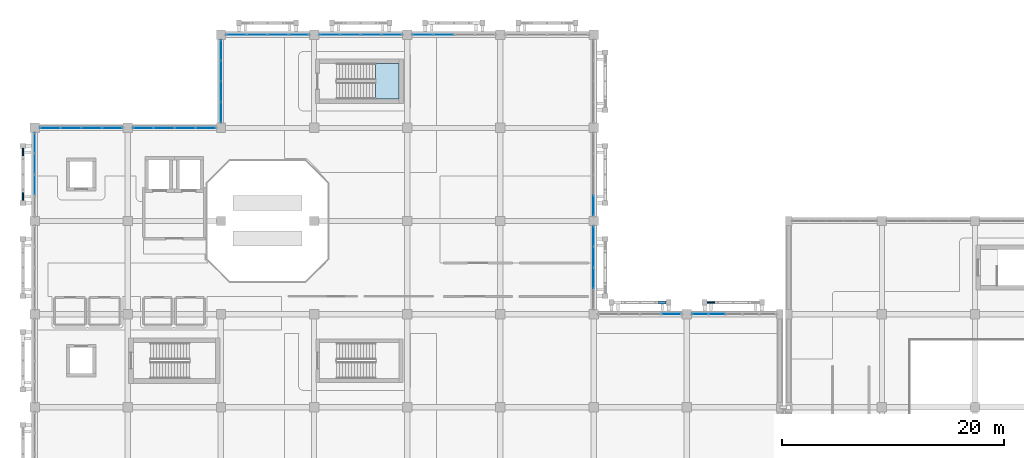
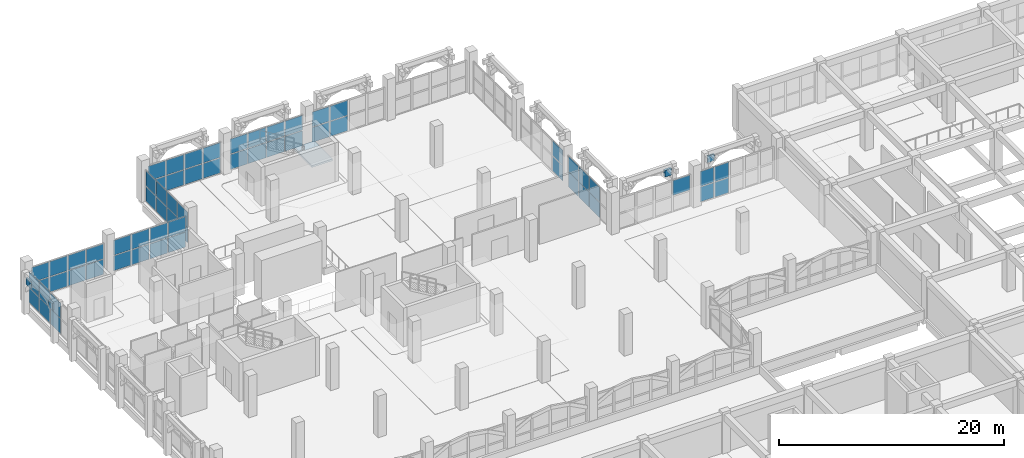
# One storey, part 97 of 129: 67 plates, 1 slab, 12 elements without a shape of their own.
"""IFC4 building model written with IfcOpenShell, lengths in metres."""

from ifc_helpers import new_model, si_unit, direction, frame, origin, origin_2d, place, context, subcontext, project, spatial, polyline, rectangle, outline, extrude, material, layer, layer_set, type_object, element, aggregate, save


model = new_model("IFC4")

# Units and contexts
model_context = context("Model", 3, precision=1e-05, world=origin(), true_north=direction((0.0, 1.0)))
body_context = subcontext(model_context, "Body", "Model", "MODEL_VIEW")
ifc_project = project(units=[si_unit("LENGTHUNIT", "METRE"), si_unit("AREAUNIT", "SQUARE_METRE"), si_unit("VOLUMEUNIT", "CUBIC_METRE"), si_unit("PLANEANGLEUNIT", "RADIAN"), si_unit("MASSUNIT", "GRAM", prefix="KILO")], contexts=[model_context])

# Site, building, storey
site_placement = place(None, origin())
site = spatial("IfcSite", under=ifc_project, at=site_placement, CompositionType="ELEMENT")
building_placement = place(site_placement, origin())
building = spatial("IfcBuilding", under=site, at=building_placement, Name="Xazarin Passage Department Store", CompositionType="ELEMENT")
storey_placement = place(building_placement, frame((0.0, 0.0, 9.89990234375)))
storey = spatial("IfcBuildingStorey", under=building, at=storey_placement, Name="L02", CompositionType="ELEMENT", Elevation=9.89990234375)

# Curtain wall, plate
ifc_material_1 = material(Name="Bronze anodised aluminium", Category="aluminium")
ifc_layer_1 = layer(ifc_material_1, 0.199951171875)
ifc_layer_set_1 = layer_set([ifc_layer_1], Name="Bronze anodised aluminium")
curtain_wall_type = type_object("IfcCurtainWallType", Name="ARC-CW-VIT2", PredefinedType="NOTDEFINED", material=ifc_layer_set_1)
curtain_wall_1_placement = place(storey_placement, origin())
curtain_wall_1 = element("IfcCurtainWall", 1, at=curtain_wall_1_placement, inside=storey, type_object=curtain_wall_type, Name="L02 V1 Curtain Wall 037", PredefinedType="NOTDEFINED")
ifc_material_2 = material(Name="Low-E laminated safety glass", Category="glass")
ifc_layer_2 = layer(ifc_material_2, 0.031982421875)
ifc_layer_set_2 = layer_set([ifc_layer_2], Name="Low-E laminated safety glass")
plate_type_1 = type_object("IfcPlateType", Name="ARC-CWP-GLZ32", PredefinedType="CURTAIN_PANEL", material=ifc_layer_set_2)
plate_1_placement = place(storey_placement, frame((57.41259765625, 84.800048828125, 1.7626953125), z_axis=(0.0, 0.0, 1.0), x_axis=(1.0, 0.0, 0.0)))
plate_1 = element("IfcPlate", 2, at=plate_1_placement, type_object=plate_type_1, Name="CW2 panel 4.2", PredefinedType="CURTAIN_PANEL", context=body_context, shape_type="SweptSolid", body=[
    extrude(rectangle(XDim=1.77490234375, YDim=0.031982421875, at=origin_2d()), origin(), (0.0, 0.0, 1.0), 1.612548828125),
])
aggregate(curtain_wall_1, [plate_1])

# Curtain wall, plates
curtain_wall_2_placement = place(storey_placement, origin())
curtain_wall_2 = element("IfcCurtainWall", 3, at=curtain_wall_2_placement, inside=storey, type_object=curtain_wall_type, Name="L02 V1 Curtain Wall 038", PredefinedType="NOTDEFINED")
plate_2_placement = place(storey_placement, frame((60.01123046875, 84.800048828125, 0.0751953125), z_axis=(0.0, 0.0, 1.0), x_axis=(1.0, 0.0, 0.0)))
plate_2 = element("IfcPlate", 4, at=plate_2_placement, type_object=plate_type_1, Name="CW2 panel 1.1", PredefinedType="CURTAIN_PANEL", context=body_context, shape_type="SweptSolid", body=[
    extrude(rectangle(XDim=1.422607421875, YDim=0.031982421875, at=origin_2d()), origin(), (0.0, 0.0, 1.0), 1.612548828125),
])
plate_3_placement = place(storey_placement, frame((60.01123046875, 84.800048828125, 1.7626953125), z_axis=(0.0, 0.0, 1.0), x_axis=(1.0, 0.0, 0.0)))
plate_3 = element("IfcPlate", 5, at=plate_3_placement, type_object=plate_type_1, Name="CW2 panel 1.2", PredefinedType="CURTAIN_PANEL", context=body_context, shape_type="SweptSolid", body=[
    extrude(rectangle(XDim=1.422607421875, YDim=0.031982421875, at=origin_2d()), origin(), (0.0, 0.0, 1.0), 1.612548828125),
])
plate_4_placement = place(storey_placement, frame((61.527587890625, 84.800048828125, 0.0751953125), z_axis=(0.0, 0.0, 1.0), x_axis=(1.0, 0.0, 0.0)))
plate_4 = element("IfcPlate", 6, at=plate_4_placement, type_object=plate_type_1, Name="CW2 panel 2.1", PredefinedType="CURTAIN_PANEL", context=body_context, shape_type="SweptSolid", body=[
    extrude(rectangle(XDim=1.4599609375, YDim=0.031982421875, at=origin_2d()), origin(), (0.0, 0.0, 1.0), 1.612548828125),
])
plate_5_placement = place(storey_placement, frame((61.527587890625, 84.800048828125, 1.7626953125), z_axis=(0.0, 0.0, 1.0), x_axis=(1.0, 0.0, 0.0)))
plate_5 = element("IfcPlate", 7, at=plate_5_placement, type_object=plate_type_1, Name="CW2 panel 2.2", PredefinedType="CURTAIN_PANEL", context=body_context, shape_type="SweptSolid", body=[
    extrude(rectangle(XDim=1.4599609375, YDim=0.031982421875, at=origin_2d()), origin(), (0.0, 0.0, 1.0), 1.612548828125),
])
aggregate(curtain_wall_2, [plate_2, plate_3, plate_4, plate_5])

curtain_wall_3_placement = place(storey_placement, origin())
curtain_wall_3 = element("IfcCurtainWall", 8, at=curtain_wall_3_placement, inside=storey, type_object=curtain_wall_type, Name="L02 V1 Curtain Wall 039", PredefinedType="NOTDEFINED")
plate_6_placement = place(storey_placement, frame((1.387451171875, 101.60009765625, 0.0751953125), z_axis=(0.0, 0.0, 1.0), x_axis=(1.0, 0.0, 0.0)))
plate_6 = element("IfcPlate", 9, at=plate_6_placement, type_object=plate_type_1, Name="CW2 panel 1.1", PredefinedType="CURTAIN_PANEL", context=body_context, shape_type="SweptSolid", body=[
    extrude(rectangle(XDim=1.77490234375, YDim=0.031982421875, at=origin_2d()), origin(), (0.0, 0.0, 1.0), 1.612548828125),
])
plate_7_placement = place(storey_placement, frame((1.387451171875, 101.60009765625, 1.7626953125), z_axis=(0.0, 0.0, 1.0), x_axis=(1.0, 0.0, 0.0)))
plate_7 = element("IfcPlate", 10, at=plate_7_placement, type_object=plate_type_1, Name="CW2 panel 1.2", PredefinedType="CURTAIN_PANEL", context=body_context, shape_type="SweptSolid", body=[
    extrude(rectangle(XDim=1.77490234375, YDim=0.031982421875, at=origin_2d()), origin(), (0.0, 0.0, 1.0), 1.612548828125),
])
plate_8_placement = place(storey_placement, frame((3.25634765625, 101.60009765625, 0.0751953125), z_axis=(0.0, 0.0, 1.0), x_axis=(1.0, 0.0, 0.0)))
plate_8 = element("IfcPlate", 11, at=plate_8_placement, type_object=plate_type_1, Name="CW2 panel 2.1", PredefinedType="CURTAIN_PANEL", context=body_context, shape_type="SweptSolid", body=[
    extrude(rectangle(XDim=1.8125, YDim=0.031982421875, at=origin_2d()), origin(), (0.0, 0.0, 1.0), 1.612548828125),
])
plate_9_placement = place(storey_placement, frame((3.25634765625, 101.60009765625, 1.7626953125), z_axis=(0.0, 0.0, 1.0), x_axis=(1.0, 0.0, 0.0)))
plate_9 = element("IfcPlate", 12, at=plate_9_placement, type_object=plate_type_1, Name="CW2 panel 2.2", PredefinedType="CURTAIN_PANEL", context=body_context, shape_type="SweptSolid", body=[
    extrude(rectangle(XDim=1.8125, YDim=0.031982421875, at=origin_2d()), origin(), (0.0, 0.0, 1.0), 1.612548828125),
])
plate_10_placement = place(storey_placement, frame((5.143798828125, 101.60009765625, 0.0751953125), z_axis=(0.0, 0.0, 1.0), x_axis=(1.0, 0.0, 0.0)))
plate_10 = element("IfcPlate", 13, at=plate_10_placement, type_object=plate_type_1, Name="CW2 panel 3.1", PredefinedType="CURTAIN_PANEL", context=body_context, shape_type="SweptSolid", body=[
    extrude(rectangle(XDim=1.8125, YDim=0.031982421875, at=origin_2d()), origin(), (0.0, 0.0, 1.0), 1.612548828125),
])
plate_11_placement = place(storey_placement, frame((5.143798828125, 101.60009765625, 1.7626953125), z_axis=(0.0, 0.0, 1.0), x_axis=(1.0, 0.0, 0.0)))
plate_11 = element("IfcPlate", 14, at=plate_11_placement, type_object=plate_type_1, Name="CW2 panel 3.2", PredefinedType="CURTAIN_PANEL", context=body_context, shape_type="SweptSolid", body=[
    extrude(rectangle(XDim=1.8125, YDim=0.031982421875, at=origin_2d()), origin(), (0.0, 0.0, 1.0), 1.612548828125),
])
plate_12_placement = place(storey_placement, frame((7.012451171875, 101.60009765625, 0.0751953125), z_axis=(0.0, 0.0, 1.0), x_axis=(1.0, 0.0, 0.0)))
plate_12 = element("IfcPlate", 15, at=plate_12_placement, type_object=plate_type_1, Name="CW2 panel 4.1", PredefinedType="CURTAIN_PANEL", context=body_context, shape_type="SweptSolid", body=[
    extrude(rectangle(XDim=1.77490234375, YDim=0.031982421875, at=origin_2d()), origin(), (0.0, 0.0, 1.0), 1.612548828125),
])
plate_13_placement = place(storey_placement, frame((7.012451171875, 101.60009765625, 1.7626953125), z_axis=(0.0, 0.0, 1.0), x_axis=(1.0, 0.0, 0.0)))
plate_13 = element("IfcPlate", 16, at=plate_13_placement, type_object=plate_type_1, Name="CW2 panel 4.2", PredefinedType="CURTAIN_PANEL", context=body_context, shape_type="SweptSolid", body=[
    extrude(rectangle(XDim=1.77490234375, YDim=0.031982421875, at=origin_2d()), origin(), (0.0, 0.0, 1.0), 1.612548828125),
])
aggregate(curtain_wall_3, [plate_6, plate_7, plate_8, plate_9, plate_10, plate_11, plate_12, plate_13])

curtain_wall_4_placement = place(storey_placement, origin())
curtain_wall_4 = element("IfcCurtainWall", 17, at=curtain_wall_4_placement, inside=storey, type_object=curtain_wall_type, Name="L02 V1 Curtain Wall 040", PredefinedType="NOTDEFINED")
plate_14_placement = place(storey_placement, frame((9.78759765625, 101.60009765625, 0.0751953125), z_axis=(0.0, 0.0, 1.0), x_axis=(1.0, 0.0, 0.0)))
plate_14 = element("IfcPlate", 18, at=plate_14_placement, type_object=plate_type_1, Name="CW2 panel 1.1", PredefinedType="CURTAIN_PANEL", context=body_context, shape_type="SweptSolid", body=[
    extrude(rectangle(XDim=1.77490234375, YDim=0.031982421875, at=origin_2d()), origin(), (0.0, 0.0, 1.0), 1.612548828125),
])
plate_15_placement = place(storey_placement, frame((9.78759765625, 101.60009765625, 1.7626953125), z_axis=(0.0, 0.0, 1.0), x_axis=(1.0, 0.0, 0.0)))
plate_15 = element("IfcPlate", 19, at=plate_15_placement, type_object=plate_type_1, Name="CW2 panel 1.2", PredefinedType="CURTAIN_PANEL", context=body_context, shape_type="SweptSolid", body=[
    extrude(rectangle(XDim=1.77490234375, YDim=0.031982421875, at=origin_2d()), origin(), (0.0, 0.0, 1.0), 1.612548828125),
])
plate_16_placement = place(storey_placement, frame((11.65625, 101.60009765625, 0.0751953125), z_axis=(0.0, 0.0, 1.0), x_axis=(1.0, 0.0, 0.0)))
plate_16 = element("IfcPlate", 20, at=plate_16_placement, type_object=plate_type_1, Name="CW2 panel 2.1", PredefinedType="CURTAIN_PANEL", context=body_context, shape_type="SweptSolid", body=[
    extrude(rectangle(XDim=1.8125, YDim=0.031982421875, at=origin_2d()), origin(), (0.0, 0.0, 1.0), 1.612548828125),
])
plate_17_placement = place(storey_placement, frame((11.65625, 101.60009765625, 1.7626953125), z_axis=(0.0, 0.0, 1.0), x_axis=(1.0, 0.0, 0.0)))
plate_17 = element("IfcPlate", 21, at=plate_17_placement, type_object=plate_type_1, Name="CW2 panel 2.2", PredefinedType="CURTAIN_PANEL", context=body_context, shape_type="SweptSolid", body=[
    extrude(rectangle(XDim=1.8125, YDim=0.031982421875, at=origin_2d()), origin(), (0.0, 0.0, 1.0), 1.612548828125),
])
plate_18_placement = place(storey_placement, frame((13.543701171875, 101.60009765625, 0.0751953125), z_axis=(0.0, 0.0, 1.0), x_axis=(1.0, 0.0, 0.0)))
plate_18 = element("IfcPlate", 22, at=plate_18_placement, type_object=plate_type_1, Name="CW2 panel 3.1", PredefinedType="CURTAIN_PANEL", context=body_context, shape_type="SweptSolid", body=[
    extrude(rectangle(XDim=1.8125, YDim=0.031982421875, at=origin_2d()), origin(), (0.0, 0.0, 1.0), 1.612548828125),
])
plate_19_placement = place(storey_placement, frame((13.543701171875, 101.60009765625, 1.7626953125), z_axis=(0.0, 0.0, 1.0), x_axis=(1.0, 0.0, 0.0)))
plate_19 = element("IfcPlate", 23, at=plate_19_placement, type_object=plate_type_1, Name="CW2 panel 3.2", PredefinedType="CURTAIN_PANEL", context=body_context, shape_type="SweptSolid", body=[
    extrude(rectangle(XDim=1.8125, YDim=0.031982421875, at=origin_2d()), origin(), (0.0, 0.0, 1.0), 1.612548828125),
])
plate_20_placement = place(storey_placement, frame((15.41259765625, 101.60009765625, 0.0751953125), z_axis=(0.0, 0.0, 1.0), x_axis=(1.0, 0.0, 0.0)))
plate_20 = element("IfcPlate", 24, at=plate_20_placement, type_object=plate_type_1, Name="CW2 panel 4.1", PredefinedType="CURTAIN_PANEL", context=body_context, shape_type="SweptSolid", body=[
    extrude(rectangle(XDim=1.77490234375, YDim=0.031982421875, at=origin_2d()), origin(), (0.0, 0.0, 1.0), 1.612548828125),
])
plate_21_placement = place(storey_placement, frame((15.41259765625, 101.60009765625, 1.7626953125), z_axis=(0.0, 0.0, 1.0), x_axis=(1.0, 0.0, 0.0)))
plate_21 = element("IfcPlate", 25, at=plate_21_placement, type_object=plate_type_1, Name="CW2 panel 4.2", PredefinedType="CURTAIN_PANEL", context=body_context, shape_type="SweptSolid", body=[
    extrude(rectangle(XDim=1.77490234375, YDim=0.031982421875, at=origin_2d()), origin(), (0.0, 0.0, 1.0), 1.612548828125),
])
aggregate(curtain_wall_4, [plate_14, plate_15, plate_16, plate_17, plate_18, plate_19, plate_20, plate_21])

curtain_wall_5_placement = place(storey_placement, origin())
curtain_wall_5 = element("IfcCurtainWall", 26, at=curtain_wall_5_placement, inside=storey, type_object=curtain_wall_type, Name="L02 V1 Curtain Wall 041", PredefinedType="NOTDEFINED")
plate_22_placement = place(storey_placement, frame((18.1875, 110.0, 0.0751953125), z_axis=(0.0, 0.0, 1.0), x_axis=(1.0, 0.0, 0.0)))
plate_22 = element("IfcPlate", 27, at=plate_22_placement, type_object=plate_type_1, Name="CW2 panel 1.1", PredefinedType="CURTAIN_PANEL", context=body_context, shape_type="SweptSolid", body=[
    extrude(rectangle(XDim=1.77490234375, YDim=0.031982421875, at=origin_2d()), origin(), (0.0, 0.0, 1.0), 1.612548828125),
])
plate_23_placement = place(storey_placement, frame((18.1875, 110.0, 1.7626953125), z_axis=(0.0, 0.0, 1.0), x_axis=(1.0, 0.0, 0.0)))
plate_23 = element("IfcPlate", 28, at=plate_23_placement, type_object=plate_type_1, Name="CW2 panel 1.2", PredefinedType="CURTAIN_PANEL", context=body_context, shape_type="SweptSolid", body=[
    extrude(rectangle(XDim=1.77490234375, YDim=0.031982421875, at=origin_2d()), origin(), (0.0, 0.0, 1.0), 1.612548828125),
])
plate_24_placement = place(storey_placement, frame((20.05615234375, 110.0, 0.0751953125), z_axis=(0.0, 0.0, 1.0), x_axis=(1.0, 0.0, 0.0)))
plate_24 = element("IfcPlate", 29, at=plate_24_placement, type_object=plate_type_1, Name="CW2 panel 2.1", PredefinedType="CURTAIN_PANEL", context=body_context, shape_type="SweptSolid", body=[
    extrude(rectangle(XDim=1.8125, YDim=0.031982421875, at=origin_2d()), origin(), (0.0, 0.0, 1.0), 1.612548828125),
])
plate_25_placement = place(storey_placement, frame((20.05615234375, 110.0, 1.7626953125), z_axis=(0.0, 0.0, 1.0), x_axis=(1.0, 0.0, 0.0)))
plate_25 = element("IfcPlate", 30, at=plate_25_placement, type_object=plate_type_1, Name="CW2 panel 2.2", PredefinedType="CURTAIN_PANEL", context=body_context, shape_type="SweptSolid", body=[
    extrude(rectangle(XDim=1.8125, YDim=0.031982421875, at=origin_2d()), origin(), (0.0, 0.0, 1.0), 1.612548828125),
])
plate_26_placement = place(storey_placement, frame((21.94384765625, 110.0, 0.0751953125), z_axis=(0.0, 0.0, 1.0), x_axis=(1.0, 0.0, 0.0)))
plate_26 = element("IfcPlate", 31, at=plate_26_placement, type_object=plate_type_1, Name="CW2 panel 3.1", PredefinedType="CURTAIN_PANEL", context=body_context, shape_type="SweptSolid", body=[
    extrude(rectangle(XDim=1.8125, YDim=0.031982421875, at=origin_2d()), origin(), (0.0, 0.0, 1.0), 1.612548828125),
])
plate_27_placement = place(storey_placement, frame((21.94384765625, 110.0, 1.7626953125), z_axis=(0.0, 0.0, 1.0), x_axis=(1.0, 0.0, 0.0)))
plate_27 = element("IfcPlate", 32, at=plate_27_placement, type_object=plate_type_1, Name="CW2 panel 3.2", PredefinedType="CURTAIN_PANEL", context=body_context, shape_type="SweptSolid", body=[
    extrude(rectangle(XDim=1.8125, YDim=0.031982421875, at=origin_2d()), origin(), (0.0, 0.0, 1.0), 1.612548828125),
])
plate_28_placement = place(storey_placement, frame((23.8125, 110.0, 0.0751953125), z_axis=(0.0, 0.0, 1.0), x_axis=(1.0, 0.0, 0.0)))
plate_28 = element("IfcPlate", 33, at=plate_28_placement, type_object=plate_type_1, Name="CW2 panel 4.1", PredefinedType="CURTAIN_PANEL", context=body_context, shape_type="SweptSolid", body=[
    extrude(rectangle(XDim=1.77490234375, YDim=0.031982421875, at=origin_2d()), origin(), (0.0, 0.0, 1.0), 1.612548828125),
])
plate_29_placement = place(storey_placement, frame((23.8125, 110.0, 1.7626953125), z_axis=(0.0, 0.0, 1.0), x_axis=(1.0, 0.0, 0.0)))
plate_29 = element("IfcPlate", 34, at=plate_29_placement, type_object=plate_type_1, Name="CW2 panel 4.2", PredefinedType="CURTAIN_PANEL", context=body_context, shape_type="SweptSolid", body=[
    extrude(rectangle(XDim=1.77490234375, YDim=0.031982421875, at=origin_2d()), origin(), (0.0, 0.0, 1.0), 1.612548828125),
])
aggregate(curtain_wall_5, [plate_22, plate_23, plate_24, plate_25, plate_26, plate_27, plate_28, plate_29])

curtain_wall_6_placement = place(storey_placement, origin())
curtain_wall_6 = element("IfcCurtainWall", 35, at=curtain_wall_6_placement, inside=storey, type_object=curtain_wall_type, Name="L02 V1 Curtain Wall 042", PredefinedType="NOTDEFINED")
plate_30_placement = place(storey_placement, frame((26.58740234375, 110.0, 0.0751953125), z_axis=(0.0, 0.0, 1.0), x_axis=(1.0, 0.0, 0.0)))
plate_30 = element("IfcPlate", 36, at=plate_30_placement, type_object=plate_type_1, Name="CW2 panel 1.1", PredefinedType="CURTAIN_PANEL", context=body_context, shape_type="SweptSolid", body=[
    extrude(rectangle(XDim=1.77490234375, YDim=0.031982421875, at=origin_2d()), origin(), (0.0, 0.0, 1.0), 1.612548828125),
])
plate_31_placement = place(storey_placement, frame((26.58740234375, 110.0, 1.7626953125), z_axis=(0.0, 0.0, 1.0), x_axis=(1.0, 0.0, 0.0)))
plate_31 = element("IfcPlate", 37, at=plate_31_placement, type_object=plate_type_1, Name="CW2 panel 1.2", PredefinedType="CURTAIN_PANEL", context=body_context, shape_type="SweptSolid", body=[
    extrude(rectangle(XDim=1.77490234375, YDim=0.031982421875, at=origin_2d()), origin(), (0.0, 0.0, 1.0), 1.612548828125),
])
plate_32_placement = place(storey_placement, frame((28.456298828125, 110.0, 0.0751953125), z_axis=(0.0, 0.0, 1.0), x_axis=(1.0, 0.0, 0.0)))
plate_32 = element("IfcPlate", 38, at=plate_32_placement, type_object=plate_type_1, Name="CW2 panel 2.1", PredefinedType="CURTAIN_PANEL", context=body_context, shape_type="SweptSolid", body=[
    extrude(rectangle(XDim=1.8125, YDim=0.031982421875, at=origin_2d()), origin(), (0.0, 0.0, 1.0), 1.612548828125),
])
plate_33_placement = place(storey_placement, frame((28.456298828125, 110.0, 1.7626953125), z_axis=(0.0, 0.0, 1.0), x_axis=(1.0, 0.0, 0.0)))
plate_33 = element("IfcPlate", 39, at=plate_33_placement, type_object=plate_type_1, Name="CW2 panel 2.2", PredefinedType="CURTAIN_PANEL", context=body_context, shape_type="SweptSolid", body=[
    extrude(rectangle(XDim=1.8125, YDim=0.031982421875, at=origin_2d()), origin(), (0.0, 0.0, 1.0), 1.612548828125),
])
plate_34_placement = place(storey_placement, frame((30.34375, 110.0, 0.0751953125), z_axis=(0.0, 0.0, 1.0), x_axis=(1.0, 0.0, 0.0)))
plate_34 = element("IfcPlate", 40, at=plate_34_placement, type_object=plate_type_1, Name="CW2 panel 3.1", PredefinedType="CURTAIN_PANEL", context=body_context, shape_type="SweptSolid", body=[
    extrude(rectangle(XDim=1.8125, YDim=0.031982421875, at=origin_2d()), origin(), (0.0, 0.0, 1.0), 1.612548828125),
])
plate_35_placement = place(storey_placement, frame((30.34375, 110.0, 1.7626953125), z_axis=(0.0, 0.0, 1.0), x_axis=(1.0, 0.0, 0.0)))
plate_35 = element("IfcPlate", 41, at=plate_35_placement, type_object=plate_type_1, Name="CW2 panel 3.2", PredefinedType="CURTAIN_PANEL", context=body_context, shape_type="SweptSolid", body=[
    extrude(rectangle(XDim=1.8125, YDim=0.031982421875, at=origin_2d()), origin(), (0.0, 0.0, 1.0), 1.612548828125),
])
plate_36_placement = place(storey_placement, frame((32.21240234375, 110.0, 0.0751953125), z_axis=(0.0, 0.0, 1.0), x_axis=(1.0, 0.0, 0.0)))
plate_36 = element("IfcPlate", 42, at=plate_36_placement, type_object=plate_type_1, Name="CW2 panel 4.1", PredefinedType="CURTAIN_PANEL", context=body_context, shape_type="SweptSolid", body=[
    extrude(rectangle(XDim=1.77490234375, YDim=0.031982421875, at=origin_2d()), origin(), (0.0, 0.0, 1.0), 1.612548828125),
])
plate_37_placement = place(storey_placement, frame((32.21240234375, 110.0, 1.7626953125), z_axis=(0.0, 0.0, 1.0), x_axis=(1.0, 0.0, 0.0)))
plate_37 = element("IfcPlate", 43, at=plate_37_placement, type_object=plate_type_1, Name="CW2 panel 4.2", PredefinedType="CURTAIN_PANEL", context=body_context, shape_type="SweptSolid", body=[
    extrude(rectangle(XDim=1.77490234375, YDim=0.031982421875, at=origin_2d()), origin(), (0.0, 0.0, 1.0), 1.612548828125),
])
aggregate(curtain_wall_6, [plate_30, plate_31, plate_32, plate_33, plate_34, plate_35, plate_36, plate_37])

curtain_wall_7_placement = place(storey_placement, origin())
curtain_wall_7 = element("IfcCurtainWall", 44, at=curtain_wall_7_placement, inside=storey, type_object=curtain_wall_type, Name="L02 V1 Curtain Wall 043", PredefinedType="NOTDEFINED")
plate_38_placement = place(storey_placement, frame((34.987548828125, 110.0, 0.0751953125), z_axis=(0.0, 0.0, 1.0), x_axis=(1.0, 0.0, 0.0)))
plate_38 = element("IfcPlate", 45, at=plate_38_placement, type_object=plate_type_1, Name="CW2 panel 1.1", PredefinedType="CURTAIN_PANEL", context=body_context, shape_type="SweptSolid", body=[
    extrude(rectangle(XDim=1.77490234375, YDim=0.031982421875, at=origin_2d()), origin(), (0.0, 0.0, 1.0), 1.612548828125),
])
plate_39_placement = place(storey_placement, frame((34.987548828125, 110.0, 1.7626953125), z_axis=(0.0, 0.0, 1.0), x_axis=(1.0, 0.0, 0.0)))
plate_39 = element("IfcPlate", 46, at=plate_39_placement, type_object=plate_type_1, Name="CW2 panel 1.2", PredefinedType="CURTAIN_PANEL", context=body_context, shape_type="SweptSolid", body=[
    extrude(rectangle(XDim=1.77490234375, YDim=0.031982421875, at=origin_2d()), origin(), (0.0, 0.0, 1.0), 1.612548828125),
])
plate_40_placement = place(storey_placement, frame((36.856201171875, 110.0, 0.0751953125), z_axis=(0.0, 0.0, 1.0), x_axis=(1.0, 0.0, 0.0)))
plate_40 = element("IfcPlate", 47, at=plate_40_placement, type_object=plate_type_1, Name="CW2 panel 2.1", PredefinedType="CURTAIN_PANEL", context=body_context, shape_type="SweptSolid", body=[
    extrude(rectangle(XDim=1.8125, YDim=0.031982421875, at=origin_2d()), origin(), (0.0, 0.0, 1.0), 1.612548828125),
])
plate_41_placement = place(storey_placement, frame((36.856201171875, 110.0, 1.7626953125), z_axis=(0.0, 0.0, 1.0), x_axis=(1.0, 0.0, 0.0)))
plate_41 = element("IfcPlate", 48, at=plate_41_placement, type_object=plate_type_1, Name="CW2 panel 2.2", PredefinedType="CURTAIN_PANEL", context=body_context, shape_type="SweptSolid", body=[
    extrude(rectangle(XDim=1.8125, YDim=0.031982421875, at=origin_2d()), origin(), (0.0, 0.0, 1.0), 1.612548828125),
])
aggregate(curtain_wall_7, [plate_38, plate_39, plate_40, plate_41])

curtain_wall_8_placement = place(storey_placement, origin())
curtain_wall_8 = element("IfcCurtainWall", 49, at=curtain_wall_8_placement, inside=storey, type_object=curtain_wall_type, Name="L02 V1 Curtain Wall 049", PredefinedType="NOTDEFINED")
plate_42_placement = place(storey_placement, frame((0.0, 96.456298828125, 0.0751953125), z_axis=(0.0, 0.0, 1.0), x_axis=(0.0, 1.0, 0.0)))
plate_42 = element("IfcPlate", 50, at=plate_42_placement, type_object=plate_type_1, Name="CW2 panel 2.1", PredefinedType="CURTAIN_PANEL", context=body_context, shape_type="SweptSolid", body=[
    extrude(rectangle(XDim=1.8125, YDim=0.031982421875, at=origin_2d()), origin(), (0.0, 0.0, 1.0), 1.612548828125),
])
plate_43_placement = place(storey_placement, frame((0.0, 96.456298828125, 1.7626953125), z_axis=(0.0, 0.0, 1.0), x_axis=(0.0, 1.0, 0.0)))
plate_43 = element("IfcPlate", 51, at=plate_43_placement, type_object=plate_type_1, Name="CW2 panel 2.2", PredefinedType="CURTAIN_PANEL", context=body_context, shape_type="SweptSolid", body=[
    extrude(rectangle(XDim=1.8125, YDim=0.031982421875, at=origin_2d()), origin(), (0.0, 0.0, 1.0), 1.612548828125),
])
plate_44_placement = place(storey_placement, frame((0.0, 98.34375, 0.0751953125), z_axis=(0.0, 0.0, 1.0), x_axis=(0.0, 1.0, 0.0)))
plate_44 = element("IfcPlate", 52, at=plate_44_placement, type_object=plate_type_1, Name="CW2 panel 3.1", PredefinedType="CURTAIN_PANEL", context=body_context, shape_type="SweptSolid", body=[
    extrude(rectangle(XDim=1.8125, YDim=0.031982421875, at=origin_2d()), origin(), (0.0, 0.0, 1.0), 1.612548828125),
])
plate_45_placement = place(storey_placement, frame((0.0, 98.34375, 1.7626953125), z_axis=(0.0, 0.0, 1.0), x_axis=(0.0, 1.0, 0.0)))
plate_45 = element("IfcPlate", 53, at=plate_45_placement, type_object=plate_type_1, Name="CW2 panel 3.2", PredefinedType="CURTAIN_PANEL", context=body_context, shape_type="SweptSolid", body=[
    extrude(rectangle(XDim=1.8125, YDim=0.031982421875, at=origin_2d()), origin(), (0.0, 0.0, 1.0), 1.612548828125),
])
plate_46_placement = place(storey_placement, frame((0.0, 100.21240234375, 0.0751953125), z_axis=(0.0, 0.0, 1.0), x_axis=(0.0, 1.0, 0.0)))
plate_46 = element("IfcPlate", 54, at=plate_46_placement, type_object=plate_type_1, Name="CW2 panel 4.1", PredefinedType="CURTAIN_PANEL", context=body_context, shape_type="SweptSolid", body=[
    extrude(rectangle(XDim=1.77490234375, YDim=0.031982421875, at=origin_2d()), origin(), (0.0, 0.0, 1.0), 1.612548828125),
])
plate_47_placement = place(storey_placement, frame((0.0, 100.21240234375, 1.7626953125), z_axis=(0.0, 0.0, 1.0), x_axis=(0.0, 1.0, 0.0)))
plate_47 = element("IfcPlate", 55, at=plate_47_placement, type_object=plate_type_1, Name="CW2 panel 4.2", PredefinedType="CURTAIN_PANEL", context=body_context, shape_type="SweptSolid", body=[
    extrude(rectangle(XDim=1.77490234375, YDim=0.031982421875, at=origin_2d()), origin(), (0.0, 0.0, 1.0), 1.612548828125),
])
aggregate(curtain_wall_8, [plate_42, plate_43, plate_44, plate_45, plate_46, plate_47])

curtain_wall_9_placement = place(storey_placement, origin())
curtain_wall_9 = element("IfcCurtainWall", 56, at=curtain_wall_9_placement, inside=storey, type_object=curtain_wall_type, Name="L02 V1 Curtain Wall 050", PredefinedType="NOTDEFINED")
plate_48_placement = place(storey_placement, frame((16.800048828125, 102.987548828125, 0.0751953125), z_axis=(0.0, 0.0, 1.0), x_axis=(0.0, 1.0, 0.0)))
plate_48 = element("IfcPlate", 57, at=plate_48_placement, type_object=plate_type_1, Name="CW2 panel 1.1", PredefinedType="CURTAIN_PANEL", context=body_context, shape_type="SweptSolid", body=[
    extrude(rectangle(XDim=1.77490234375, YDim=0.031982421875, at=origin_2d()), origin(), (0.0, 0.0, 1.0), 1.612548828125),
])
plate_49_placement = place(storey_placement, frame((16.800048828125, 102.987548828125, 1.7626953125), z_axis=(0.0, 0.0, 1.0), x_axis=(0.0, 1.0, 0.0)))
plate_49 = element("IfcPlate", 58, at=plate_49_placement, type_object=plate_type_1, Name="CW2 panel 1.2", PredefinedType="CURTAIN_PANEL", context=body_context, shape_type="SweptSolid", body=[
    extrude(rectangle(XDim=1.77490234375, YDim=0.031982421875, at=origin_2d()), origin(), (0.0, 0.0, 1.0), 1.612548828125),
])
plate_50_placement = place(storey_placement, frame((16.800048828125, 104.856201171875, 0.0751953125), z_axis=(0.0, 0.0, 1.0), x_axis=(0.0, 1.0, 0.0)))
plate_50 = element("IfcPlate", 59, at=plate_50_placement, type_object=plate_type_1, Name="CW2 panel 2.1", PredefinedType="CURTAIN_PANEL", context=body_context, shape_type="SweptSolid", body=[
    extrude(rectangle(XDim=1.8125, YDim=0.031982421875, at=origin_2d()), origin(), (0.0, 0.0, 1.0), 1.612548828125),
])
plate_51_placement = place(storey_placement, frame((16.800048828125, 104.856201171875, 1.7626953125), z_axis=(0.0, 0.0, 1.0), x_axis=(0.0, 1.0, 0.0)))
plate_51 = element("IfcPlate", 60, at=plate_51_placement, type_object=plate_type_1, Name="CW2 panel 2.2", PredefinedType="CURTAIN_PANEL", context=body_context, shape_type="SweptSolid", body=[
    extrude(rectangle(XDim=1.8125, YDim=0.031982421875, at=origin_2d()), origin(), (0.0, 0.0, 1.0), 1.612548828125),
])
plate_52_placement = place(storey_placement, frame((16.800048828125, 106.74365234375, 0.0751953125), z_axis=(0.0, 0.0, 1.0), x_axis=(0.0, 1.0, 0.0)))
plate_52 = element("IfcPlate", 61, at=plate_52_placement, type_object=plate_type_1, Name="CW2 panel 3.1", PredefinedType="CURTAIN_PANEL", context=body_context, shape_type="SweptSolid", body=[
    extrude(rectangle(XDim=1.8125, YDim=0.031982421875, at=origin_2d()), origin(), (0.0, 0.0, 1.0), 1.612548828125),
])
plate_53_placement = place(storey_placement, frame((16.800048828125, 106.74365234375, 1.7626953125), z_axis=(0.0, 0.0, 1.0), x_axis=(0.0, 1.0, 0.0)))
plate_53 = element("IfcPlate", 62, at=plate_53_placement, type_object=plate_type_1, Name="CW2 panel 3.2", PredefinedType="CURTAIN_PANEL", context=body_context, shape_type="SweptSolid", body=[
    extrude(rectangle(XDim=1.8125, YDim=0.031982421875, at=origin_2d()), origin(), (0.0, 0.0, 1.0), 1.612548828125),
])
plate_54_placement = place(storey_placement, frame((16.800048828125, 108.612548828125, 0.0751953125), z_axis=(0.0, 0.0, 1.0), x_axis=(0.0, 1.0, 0.0)))
plate_54 = element("IfcPlate", 63, at=plate_54_placement, type_object=plate_type_1, Name="CW2 panel 4.1", PredefinedType="CURTAIN_PANEL", context=body_context, shape_type="SweptSolid", body=[
    extrude(rectangle(XDim=1.77490234375, YDim=0.031982421875, at=origin_2d()), origin(), (0.0, 0.0, 1.0), 1.612548828125),
])
plate_55_placement = place(storey_placement, frame((16.800048828125, 108.612548828125, 1.7626953125), z_axis=(0.0, 0.0, 1.0), x_axis=(0.0, 1.0, 0.0)))
plate_55 = element("IfcPlate", 64, at=plate_55_placement, type_object=plate_type_1, Name="CW2 panel 4.2", PredefinedType="CURTAIN_PANEL", context=body_context, shape_type="SweptSolid", body=[
    extrude(rectangle(XDim=1.77490234375, YDim=0.031982421875, at=origin_2d()), origin(), (0.0, 0.0, 1.0), 1.612548828125),
])
aggregate(curtain_wall_9, [plate_48, plate_49, plate_50, plate_51, plate_52, plate_53, plate_54, plate_55])

curtain_wall_10_placement = place(storey_placement, origin())
curtain_wall_10 = element("IfcCurtainWall", 65, at=curtain_wall_10_placement, inside=storey, type_object=curtain_wall_type, Name="L02 V1 Curtain Wall 052", PredefinedType="NOTDEFINED")
plate_56_placement = place(storey_placement, frame((50.39990234375, 88.05615234375, 0.0751953125), z_axis=(0.0, 0.0, 1.0), x_axis=(0.0, 1.0, 0.0)))
plate_56 = element("IfcPlate", 66, at=plate_56_placement, type_object=plate_type_1, Name="CW2 panel 2.1", PredefinedType="CURTAIN_PANEL", context=body_context, shape_type="SweptSolid", body=[
    extrude(rectangle(XDim=1.8125, YDim=0.031982421875, at=origin_2d()), origin(), (0.0, 0.0, 1.0), 1.612548828125),
])
plate_57_placement = place(storey_placement, frame((50.39990234375, 88.05615234375, 1.7626953125), z_axis=(0.0, 0.0, 1.0), x_axis=(0.0, 1.0, 0.0)))
plate_57 = element("IfcPlate", 67, at=plate_57_placement, type_object=plate_type_1, Name="CW2 panel 2.2", PredefinedType="CURTAIN_PANEL", context=body_context, shape_type="SweptSolid", body=[
    extrude(rectangle(XDim=1.8125, YDim=0.031982421875, at=origin_2d()), origin(), (0.0, 0.0, 1.0), 1.612548828125),
])
plate_58_placement = place(storey_placement, frame((50.39990234375, 89.94384765625, 0.0751953125), z_axis=(0.0, 0.0, 1.0), x_axis=(0.0, 1.0, 0.0)))
plate_58 = element("IfcPlate", 68, at=plate_58_placement, type_object=plate_type_1, Name="CW2 panel 3.1", PredefinedType="CURTAIN_PANEL", context=body_context, shape_type="SweptSolid", body=[
    extrude(rectangle(XDim=1.8125, YDim=0.031982421875, at=origin_2d()), origin(), (0.0, 0.0, 1.0), 1.612548828125),
])
plate_59_placement = place(storey_placement, frame((50.39990234375, 89.94384765625, 1.7626953125), z_axis=(0.0, 0.0, 1.0), x_axis=(0.0, 1.0, 0.0)))
plate_59 = element("IfcPlate", 69, at=plate_59_placement, type_object=plate_type_1, Name="CW2 panel 3.2", PredefinedType="CURTAIN_PANEL", context=body_context, shape_type="SweptSolid", body=[
    extrude(rectangle(XDim=1.8125, YDim=0.031982421875, at=origin_2d()), origin(), (0.0, 0.0, 1.0), 1.612548828125),
])
plate_60_placement = place(storey_placement, frame((50.39990234375, 91.8125, 0.0751953125), z_axis=(0.0, 0.0, 1.0), x_axis=(0.0, 1.0, 0.0)))
plate_60 = element("IfcPlate", 70, at=plate_60_placement, type_object=plate_type_1, Name="CW2 panel 4.1", PredefinedType="CURTAIN_PANEL", context=body_context, shape_type="SweptSolid", body=[
    extrude(rectangle(XDim=1.77490234375, YDim=0.031982421875, at=origin_2d()), origin(), (0.0, 0.0, 1.0), 1.612548828125),
])
plate_61_placement = place(storey_placement, frame((50.39990234375, 91.8125, 1.7626953125), z_axis=(0.0, 0.0, 1.0), x_axis=(0.0, 1.0, 0.0)))
plate_61 = element("IfcPlate", 71, at=plate_61_placement, type_object=plate_type_1, Name="CW2 panel 4.2", PredefinedType="CURTAIN_PANEL", context=body_context, shape_type="SweptSolid", body=[
    extrude(rectangle(XDim=1.77490234375, YDim=0.031982421875, at=origin_2d()), origin(), (0.0, 0.0, 1.0), 1.612548828125),
])
aggregate(curtain_wall_10, [plate_56, plate_57, plate_58, plate_59, plate_60, plate_61])

curtain_wall_11_placement = place(storey_placement, origin())
curtain_wall_11 = element("IfcCurtainWall", 72, at=curtain_wall_11_placement, inside=storey, type_object=curtain_wall_type, Name="L02 V1 Curtain Wall 053", PredefinedType="NOTDEFINED")
plate_62_placement = place(storey_placement, frame((50.39990234375, 94.58740234375, 0.0751953125), z_axis=(0.0, 0.0, 1.0), x_axis=(0.0, 1.0, 0.0)))
plate_62 = element("IfcPlate", 73, at=plate_62_placement, type_object=plate_type_1, Name="CW2 panel 1.1", PredefinedType="CURTAIN_PANEL", context=body_context, shape_type="SweptSolid", body=[
    extrude(rectangle(XDim=1.77490234375, YDim=0.031982421875, at=origin_2d()), origin(), (0.0, 0.0, 1.0), 1.612548828125),
])
plate_63_placement = place(storey_placement, frame((50.39990234375, 94.58740234375, 1.7626953125), z_axis=(0.0, 0.0, 1.0), x_axis=(0.0, 1.0, 0.0)))
plate_63 = element("IfcPlate", 74, at=plate_63_placement, type_object=plate_type_1, Name="CW2 panel 1.2", PredefinedType="CURTAIN_PANEL", context=body_context, shape_type="SweptSolid", body=[
    extrude(rectangle(XDim=1.77490234375, YDim=0.031982421875, at=origin_2d()), origin(), (0.0, 0.0, 1.0), 1.612548828125),
])
aggregate(curtain_wall_11, [plate_62, plate_63])

# Plates
ifc_material_3 = material(Name="Precast concrete C40/50", Category="concrete")
ifc_layer_3 = layer(ifc_material_3, 0.159912109375)
ifc_layer_set_3 = layer_set([ifc_layer_3], Name="Precast concrete C40/50")
plate_type_2 = type_object("IfcPlateType", Name="ARC-PLT-SCR-09", PredefinedType="USERDEFINED", material=ifc_layer_set_3)
for number, where, z_axis, x_axis, name in (
    (75, (61.0, 85.85009765625, 3.26025390625), (0.0, 0.0, 1.0), (1.0, 0.0, 0.0), "L02 V1 Arch Spandrel Tympanum 0069"),
    (76, (-1.050048828125, 95.39990234375, 3.26025390625), (0.0, 0.0, 1.0), (0.0, 1.0, 0.0), "L02 V1 Arch Spandrel Tympanum 0129"),
    (77, (-1.050048828125, 99.39990234375, 3.26025390625), (0.0, 0.0, 1.0), (0.0, 1.0, 0.0), "L02 V1 Arch Spandrel Tympanum 0130"),
):
    element("IfcPlate", number, at=place(storey_placement, frame(where, z_axis=z_axis, x_axis=x_axis)), inside=storey, type_object=plate_type_2, Name=name, ObjectType="SCREEN PANEL", PredefinedType="USERDEFINED", context=body_context, shape_type="SweptSolid", body=[
        extrude(rectangle(XDim=0.679931640625, YDim=0.159912109375, at=origin_2d()), origin(), (0.0, 0.0, 1.0), 0.719970703125),
    ])
ifc_layer_4 = layer(ifc_material_3, 0.239990234375)
ifc_layer_set_4 = layer_set([ifc_layer_4], Name="Precast concrete C40/50")
plate_type_3 = type_object("IfcPlateType", Name="ARC-PLT-SCR-17", PredefinedType="USERDEFINED", material=ifc_layer_set_4)
plate_64_placement = place(storey_placement, frame((56.60009765625, 85.85009765625, 3.26025390625), z_axis=(0.0, 0.0, 1.0), x_axis=(1.0, 0.0, 0.0)))
element("IfcPlate", 78, at=plate_64_placement, inside=storey, type_object=plate_type_3, Name="L02 V1 Arch Spandrel Tympanum 0058", ObjectType="SCREEN PANEL", PredefinedType="USERDEFINED", context=body_context, shape_type="SweptSolid", body=[
    extrude(rectangle(XDim=0.679931640625, YDim=0.239990234375, at=origin_2d()), origin(), (0.0, 0.0, 1.0), 0.719970703125),
])

# Stair, slab
ifc_material_4 = material(Name="Concrete C35/45", Category="concrete")
stair_type = type_object("IfcStairType", Name="ARC-ST-TYP", PredefinedType="HALF_TURN_STAIR", material=ifc_material_4)
stair_placement = place(storey_placement, origin())
stair = element("IfcStair", 79, at=stair_placement, inside=storey, type_object=stair_type, Name="L02 Exit Stair ST2", PredefinedType="HALF_TURN_STAIR")
ifc_layer_5 = layer(ifc_material_4, 0.199951171875)
ifc_layer_set_5 = layer_set([ifc_layer_5], Name="Concrete C35/45")
slab_type = type_object("IfcSlabType", Name="STR-SLB-LND200", PredefinedType="LANDING", material=ifc_layer_set_5)
slab_placement = place(storey_placement, frame((0.0, 0.0, 2.050048828125)))
slab = element("IfcSlab", 80, at=slab_placement, type_object=slab_type, Name="ST2 landing 1", PredefinedType="LANDING", context=body_context, shape_type="SweptSolid", body=[
    extrude(outline(polyline([(30.75, 104.179931640625), (32.85009765625, 104.179931640625), (32.85009765625, 107.419921875), (30.75, 107.419921875), (30.75, 104.179931640625)])), origin(), (0.0, 0.0, 1.0), 0.199951171875),
])
aggregate(stair, [slab])

save(model, "model.ifc")
